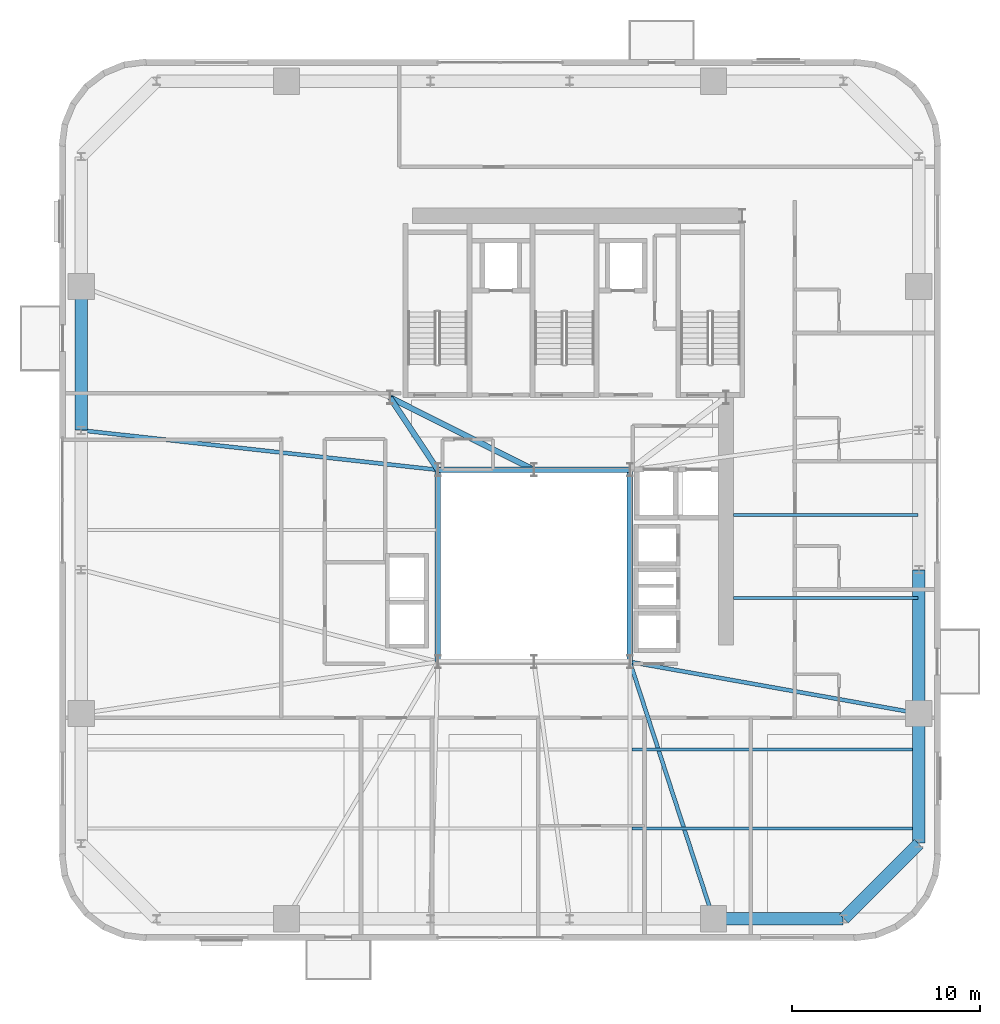
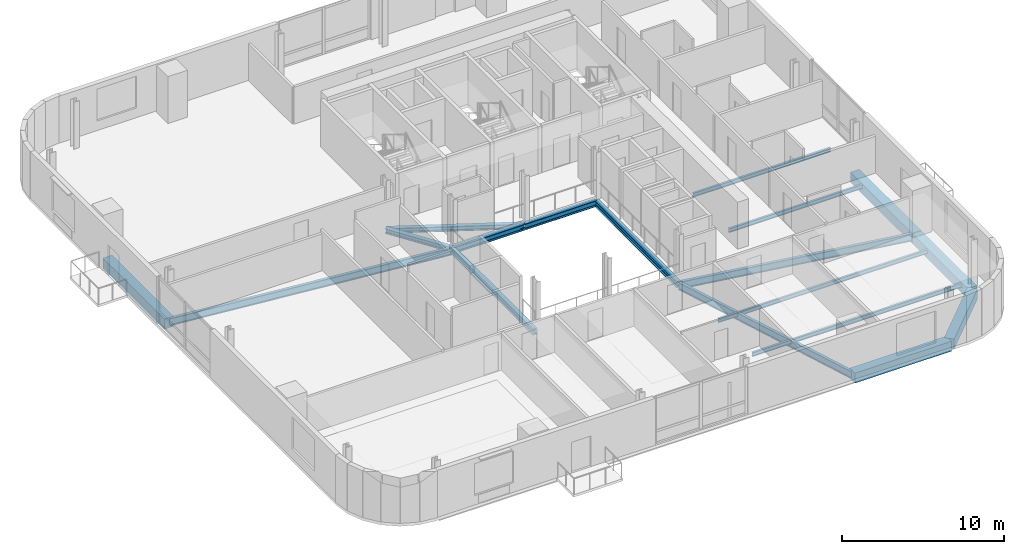
# One storey, part 4 of 16: 18 beams.
"""IFC4 building model written with IfcOpenShell, lengths in metres."""

from ifc_helpers import new_model, si_unit, direction, frame, origin, origin_2d, place, context, subcontext, project, spatial, rectangle, i_section, extrude, source, transform, mapped, material, material_profile, profile_set, type_object, element, save


model = new_model("IFC4")

# Units and contexts
model_context = context("Model", 3, precision=1e-05, world=origin(), true_north=direction((0.0, 1.0)))
body_context = subcontext(model_context, "Body", "Model", "MODEL_VIEW")
ifc_project = project(units=[si_unit("LENGTHUNIT", "METRE"), si_unit("AREAUNIT", "SQUARE_METRE"), si_unit("VOLUMEUNIT", "CUBIC_METRE"), si_unit("PLANEANGLEUNIT", "RADIAN"), si_unit("MASSUNIT", "GRAM", prefix="KILO")], contexts=[model_context])

# Site, building, storey
site_placement = place(None, origin())
site = spatial("IfcSite", under=ifc_project, at=site_placement, CompositionType="ELEMENT")
building_placement = place(site_placement, origin())
building = spatial("IfcBuilding", under=site, at=building_placement, Name="Vardaveli Station Tower", CompositionType="ELEMENT")
storey_placement = place(building_placement, frame((0.0, 0.0, 226.050048828125)))
storey = spatial("IfcBuildingStorey", under=building, at=storey_placement, Name="L58", CompositionType="ELEMENT", Elevation=226.050048828125)

# Beams
ifc_material_1 = material(Name="Structural steel S355J2", Category="steel")
ifc_material_profile_1 = material_profile(ifc_material_1, i_section(OverallWidth=0.300048828125, OverallDepth=0.449951171875, WebThickness=0.013916015625, FlangeThickness=0.02587890625, FilletRadius=0.027099609375, at=origin_2d()), Name="HEB 450")
ifc_profile_set_1 = profile_set([ifc_material_profile_1], Name="Structural steel S355J2")
beam_type_1 = type_object("IfcBeamType", Name="BM-HEB450", PredefinedType="BEAM", material=ifc_profile_set_1)
shared_shape_1 = source(origin(), body_context, "Body", "SweptSolid", [
    extrude(i_section(OverallWidth=0.300048828125, OverallDepth=0.449951171875, WebThickness=0.013916015625, FlangeThickness=0.02587890625, FilletRadius=0.027099609375, at=origin_2d()), origin(), (0.0, 0.0, 1.0), 5.06005859375),
])
beam_1_placement = place(storey_placement, frame((36.280029296875, 26.800048828125, -0.445068359375), z_axis=(-1.0, 0.0, 0.0), x_axis=(0.0, -1.0, 0.0)))
element("IfcBeam", 1, at=beam_1_placement, inside=storey, type_object=beam_type_1, Name="ABM-L58-05", PredefinedType="BEAM", context=body_context, shape_type="MappedRepresentation", body=[
    mapped(shared_shape_1, transform((0.0, 0.0, 0.0), scale=1.0)),
])
shared_shape_2 = source(origin(), body_context, "Body", "SweptSolid", [
    extrude(i_section(OverallWidth=0.300048828125, OverallDepth=0.449951171875, WebThickness=0.013916015625, FlangeThickness=0.02587890625, FilletRadius=0.027099609375, at=origin_2d()), origin(), (0.0, 0.0, 1.0), 5.059814453125),
])
beam_2_placement = place(storey_placement, frame((41.3798828125, 26.800048828125, -0.445068359375), z_axis=(-1.0, 0.0, 0.0), x_axis=(0.0, -1.0, 0.0)))
element("IfcBeam", 2, at=beam_2_placement, inside=storey, type_object=beam_type_1, Name="ABM-L58-04", PredefinedType="BEAM", context=body_context, shape_type="MappedRepresentation", body=[
    mapped(shared_shape_2, transform((0.0, 0.0, 0.0), scale=1.0)),
])
shared_shape_3 = source(origin(), body_context, "Body", "SweptSolid", [
    extrude(i_section(OverallWidth=0.300048828125, OverallDepth=0.449951171875, WebThickness=0.013916015625, FlangeThickness=0.02587890625, FilletRadius=0.027099609375, at=origin_2d()), origin(), (0.0, 0.0, 1.0), 10.159912109375),
])
for number, where, z_axis, x_axis, name in (
    (3, (41.39990234375, 16.6201171875, -0.445068359375), (0.0, 1.0, 0.0), (-1.0, 0.0, 0.0), "ABM-L58-03"),
    (4, (31.199951171875, 26.780029296875, -0.445068359375), (0.0, -1.0, 0.0), (1.0, 0.0, 0.0), "ABM-L58-06"),
):
    element("IfcBeam", number, at=place(storey_placement, frame(where, z_axis=z_axis, x_axis=x_axis)), inside=storey, type_object=beam_type_1, Name=name, PredefinedType="BEAM", context=body_context, shape_type="MappedRepresentation", body=[
        mapped(shared_shape_3, transform((0.0, 0.0, 0.0), scale=1.0)),
    ])
ifc_material_profile_2 = material_profile(ifc_material_1, i_section(OverallWidth=0.300048828125, OverallDepth=0.360107421875, WebThickness=0.012451171875, FlangeThickness=0.0224609375, FilletRadius=0.027099609375, at=origin_2d()), Name="HEB 360")
ifc_profile_set_2 = profile_set([ifc_material_profile_2], Name="Structural steel S355J2")
beam_type_2 = type_object("IfcBeamType", Name="BM-HEB360", PredefinedType="BEAM", material=ifc_profile_set_2)
shared_shape_4 = source(origin(), body_context, "Body", "SweptSolid", [
    extrude(i_section(OverallWidth=0.300048828125, OverallDepth=0.360107421875, WebThickness=0.012451171875, FlangeThickness=0.0224609375, FilletRadius=0.027099609375, at=origin_2d()), origin(), (0.0, 0.0, 1.0), 4.577880859375),
])
beam_3_placement = place(storey_placement, frame((31.18896484375, 26.816650390625, -0.400146484375), z_axis=(-0.55218702139, 0.833720272879, 0.0), x_axis=(-0.833720272879, -0.55218702139, 0.0)))
element("IfcBeam", 5, at=beam_3_placement, inside=storey, type_object=beam_type_2, Name="CBM-L58-01", PredefinedType="BEAM", context=body_context, shape_type="MappedRepresentation", body=[
    mapped(shared_shape_4, transform((0.0, 0.0, 0.0), scale=1.0)),
])
shared_shape_5 = source(origin(), body_context, "Body", "SweptSolid", [
    extrude(i_section(OverallWidth=0.300048828125, OverallDepth=0.360107421875, WebThickness=0.012451171875, FlangeThickness=0.0224609375, FilletRadius=0.027099609375, at=origin_2d()), origin(), (0.0, 0.0, 1.0), 8.524169921875),
])
beam_4_placement = place(storey_placement, frame((28.66796875, 30.64111328125, -0.400146484375), z_axis=(0.893255584708, -0.449549174605, 0.0), x_axis=(0.449549174605, 0.893255584708, 0.0)))
element("IfcBeam", 6, at=beam_4_placement, inside=storey, type_object=beam_type_2, Name="CBM-L58-03", PredefinedType="BEAM", context=body_context, shape_type="MappedRepresentation", body=[
    mapped(shared_shape_5, transform((0.0, 0.0, 0.0), scale=1.0)),
])
ifc_material_2 = material(Name="Precast concrete C45/55", Category="concrete")
ifc_material_profile_3 = material_profile(ifc_material_2, rectangle(XDim=0.64990234375, YDim=0.75, at=origin_2d()), Name="LPB 650x750")
ifc_profile_set_3 = profile_set([ifc_material_profile_3], Name="Precast concrete C45/55")
beam_type_3 = type_object("IfcBeamType", Name="BM-LPB-750", PredefinedType="BEAM", material=ifc_profile_set_3)
shared_shape_6 = source(origin(), body_context, "Body", "SweptSolid", [
    extrude(rectangle(XDim=0.64990234375, YDim=0.75, at=origin_2d()), origin(), (0.0, 0.0, 1.0), 7.60009765625),
])
for number, where, z_axis, x_axis, name in (
    (7, (56.75, 13.8798828125, -0.594970703125), (0.0, 1.0, 0.0), (-1.0, 0.0, 0.0), "RBM-L58-07"),
    (8, (12.25, 36.52001953125, -0.594970703125), (0.0, -1.0, 0.0), (1.0, 0.0, 0.0), "RBM-L58-19"),
):
    element("IfcBeam", number, at=place(storey_placement, frame(where, z_axis=z_axis, x_axis=x_axis)), inside=storey, type_object=beam_type_3, Name=name, PredefinedType="BEAM", context=body_context, shape_type="MappedRepresentation", body=[
        mapped(shared_shape_6, transform((0.0, 0.0, 0.0), scale=1.0)),
    ])
shared_shape_7 = source(origin(), body_context, "Body", "SweptSolid", [
    extrude(rectangle(XDim=0.64990234375, YDim=0.75, at=origin_2d()), origin(), (0.0, 0.0, 1.0), 6.869873046875),
])
beam_5_placement = place(storey_placement, frame((45.860107421875, 2.949951171875, -0.594970703125), z_axis=(1.0, 0.0, 0.0), x_axis=(0.0, 1.0, 0.0)))
element("IfcBeam", 9, at=beam_5_placement, inside=storey, type_object=beam_type_3, Name="RBM-L58-04", PredefinedType="BEAM", context=body_context, shape_type="MappedRepresentation", body=[
    mapped(shared_shape_7, transform((0.0, 0.0, 0.0), scale=1.0)),
])
shared_shape_8 = source(origin(), body_context, "Body", "SweptSolid", [
    extrude(rectangle(XDim=0.64990234375, YDim=0.75, at=origin_2d()), origin(), (0.0, 0.0, 1.0), 5.61669921875),
])
beam_6_placement = place(storey_placement, frame((52.76416015625, 2.964111328125, -0.594970703125), z_axis=(0.707106781187, 0.707106781187, 0.0), x_axis=(-0.707106781187, 0.707106781187, 0.0)))
element("IfcBeam", 10, at=beam_6_placement, inside=storey, type_object=beam_type_3, Name="RBM-L58-05", PredefinedType="BEAM", context=body_context, shape_type="MappedRepresentation", body=[
    mapped(shared_shape_8, transform((0.0, 0.0, 0.0), scale=1.0)),
])
shared_shape_9 = source(origin(), body_context, "Body", "SweptSolid", [
    extrude(rectangle(XDim=0.64990234375, YDim=0.75, at=origin_2d()), origin(), (0.0, 0.0, 1.0), 6.8701171875),
])
beam_7_placement = place(storey_placement, frame((56.75, 6.969970703125, -0.594970703125), z_axis=(0.0, 1.0, 0.0), x_axis=(-1.0, 0.0, 0.0)))
element("IfcBeam", 11, at=beam_7_placement, inside=storey, type_object=beam_type_3, Name="RBM-L58-06", PredefinedType="BEAM", context=body_context, shape_type="MappedRepresentation", body=[
    mapped(shared_shape_9, transform((0.0, 0.0, 0.0), scale=1.0)),
])
ifc_material_profile_4 = material_profile(ifc_material_1, i_section(OverallWidth=0.2099609375, OverallDepth=0.550048828125, WebThickness=0.010986328125, FlangeThickness=0.01708984375, FilletRadius=0.02392578125, at=origin_2d()), Name="IPE 550")
ifc_profile_set_4 = profile_set([ifc_material_profile_4], Name="Structural steel S355J2")
beam_type_4 = type_object("IfcBeamType", Name="BM-IPE550", PredefinedType="BEAM", material=ifc_profile_set_4)
shared_shape_10 = source(origin(), body_context, "Body", "SweptSolid", [
    extrude(i_section(OverallWidth=0.2099609375, OverallDepth=0.550048828125, WebThickness=0.010986328125, FlangeThickness=0.01708984375, FilletRadius=0.02392578125, at=origin_2d()), origin(), (0.0, 0.0, 1.0), 14.31396484375),
])
beam_8_placement = place(storey_placement, frame((45.833740234375, 2.968994140625, -0.4951171875), z_axis=(-0.309311678023, 0.950960717295, 0.0), x_axis=(-0.950960717295, -0.309311678023, 0.0)))
element("IfcBeam", 12, at=beam_8_placement, inside=storey, type_object=beam_type_4, Name="GBM-L58-04", PredefinedType="BEAM", context=body_context, shape_type="MappedRepresentation", body=[
    mapped(shared_shape_10, transform((0.0, 0.0, 0.0), scale=1.0)),
])
shared_shape_11 = source(origin(), body_context, "Body", "SweptSolid", [
    extrude(i_section(OverallWidth=0.2099609375, OverallDepth=0.550048828125, WebThickness=0.010986328125, FlangeThickness=0.01708984375, FilletRadius=0.02392578125, at=origin_2d()), origin(), (0.0, 0.0, 1.0), 15.552490234375),
])
beam_9_placement = place(storey_placement, frame((56.730224609375, 13.863525390625, -0.4951171875), z_axis=(-0.984439991578, 0.1757210943, 0.0), x_axis=(-0.1757210943, -0.984439991578, 0.0)))
element("IfcBeam", 13, at=beam_9_placement, inside=storey, type_object=beam_type_4, Name="GBM-L58-05", PredefinedType="BEAM", context=body_context, shape_type="MappedRepresentation", body=[
    mapped(shared_shape_11, transform((0.0, 0.0, 0.0), scale=1.0)),
])
shared_shape_12 = source(origin(), body_context, "Body", "SweptSolid", [
    extrude(i_section(OverallWidth=0.2099609375, OverallDepth=0.550048828125, WebThickness=0.010986328125, FlangeThickness=0.01708984375, FilletRadius=0.02392578125, at=origin_2d()), origin(), (0.0, 0.0, 1.0), 19.026123046875),
])
beam_10_placement = place(storey_placement, frame((12.269775390625, 28.897705078125, -0.4951171875), z_axis=(0.993916552721, -0.110135762707, 0.0), x_axis=(0.110135762707, 0.993916552721, 0.0)))
element("IfcBeam", 14, at=beam_10_placement, inside=storey, type_object=beam_type_4, Name="GBM-L58-08", PredefinedType="BEAM", context=body_context, shape_type="MappedRepresentation", body=[
    mapped(shared_shape_12, transform((0.0, 0.0, 0.0), scale=1.0)),
])
ifc_material_profile_5 = material_profile(ifc_material_1, i_section(OverallWidth=0.14990234375, OverallDepth=0.300048828125, WebThickness=0.007080078125, FlangeThickness=0.0107421875, FilletRadius=0.014892578125, at=origin_2d()), Name="IPE 300")
ifc_profile_set_5 = profile_set([ifc_material_profile_5], Name="Structural steel S355J2")
beam_type_5 = type_object("IfcBeamType", Name="BM-IPE300", PredefinedType="JOIST", material=ifc_profile_set_5)
shared_shape_13 = source(origin(), body_context, "Body", "SweptSolid", [
    extrude(i_section(OverallWidth=0.14990234375, OverallDepth=0.300048828125, WebThickness=0.007080078125, FlangeThickness=0.0107421875, FilletRadius=0.014892578125, at=origin_2d()), origin(), (0.0, 0.0, 1.0), 15.197998046875),
])
for number, where, z_axis, x_axis, name in (
    (15, (41.511962890625, 7.75, -0.3701171875), (1.0, 0.0, 0.0), (0.0, 1.0, 0.0), "SJ-L58-S02"),
    (16, (41.511962890625, 11.949951171875, -0.3701171875), (1.0, 0.0, 0.0), (0.0, 1.0, 0.0), "SJ-L58-S04"),
):
    element("IfcBeam", number, at=place(storey_placement, frame(where, z_axis=z_axis, x_axis=x_axis)), inside=storey, type_object=beam_type_5, Name=name, PredefinedType="JOIST", context=body_context, shape_type="MappedRepresentation", body=[
        mapped(shared_shape_13, transform((0.0, 0.0, 0.0), scale=1.0)),
    ])
shared_shape_14 = source(origin(), body_context, "Body", "SweptSolid", [
    extrude(i_section(OverallWidth=0.14990234375, OverallDepth=0.300048828125, WebThickness=0.007080078125, FlangeThickness=0.0107421875, FilletRadius=0.014892578125, at=origin_2d()), origin(), (0.0, 0.0, 1.0), 9.804931640625),
])
for number, where, z_axis, x_axis, name in (
    (17, (46.905029296875, 20.0, -0.3701171875), (1.0, 0.0, 0.0), (0.0, 1.0, 0.0), "SJ-L58-E07"),
    (18, (46.905029296875, 24.39990234375, -0.3701171875), (1.0, 0.0, 0.0), (0.0, 1.0, 0.0), "SJ-L58-E08"),
):
    element("IfcBeam", number, at=place(storey_placement, frame(where, z_axis=z_axis, x_axis=x_axis)), inside=storey, type_object=beam_type_5, Name=name, PredefinedType="JOIST", context=body_context, shape_type="MappedRepresentation", body=[
        mapped(shared_shape_14, transform((0.0, 0.0, 0.0), scale=1.0)),
    ])

save(model, "model.ifc")
